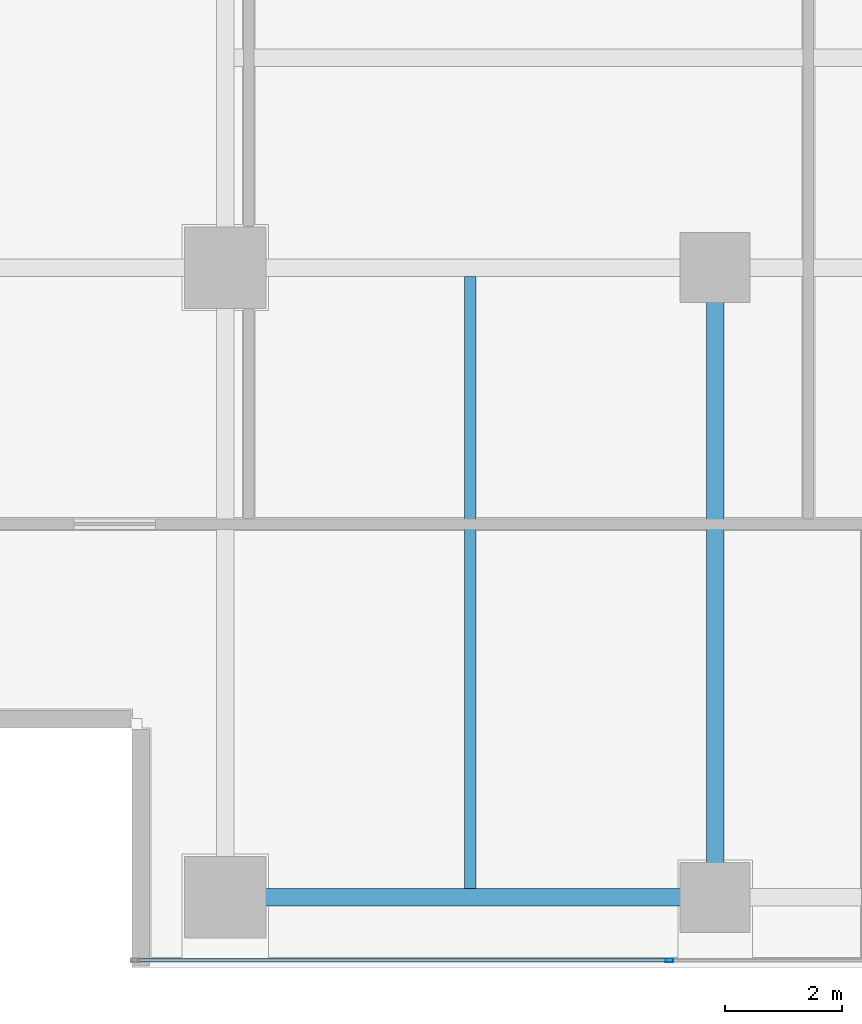
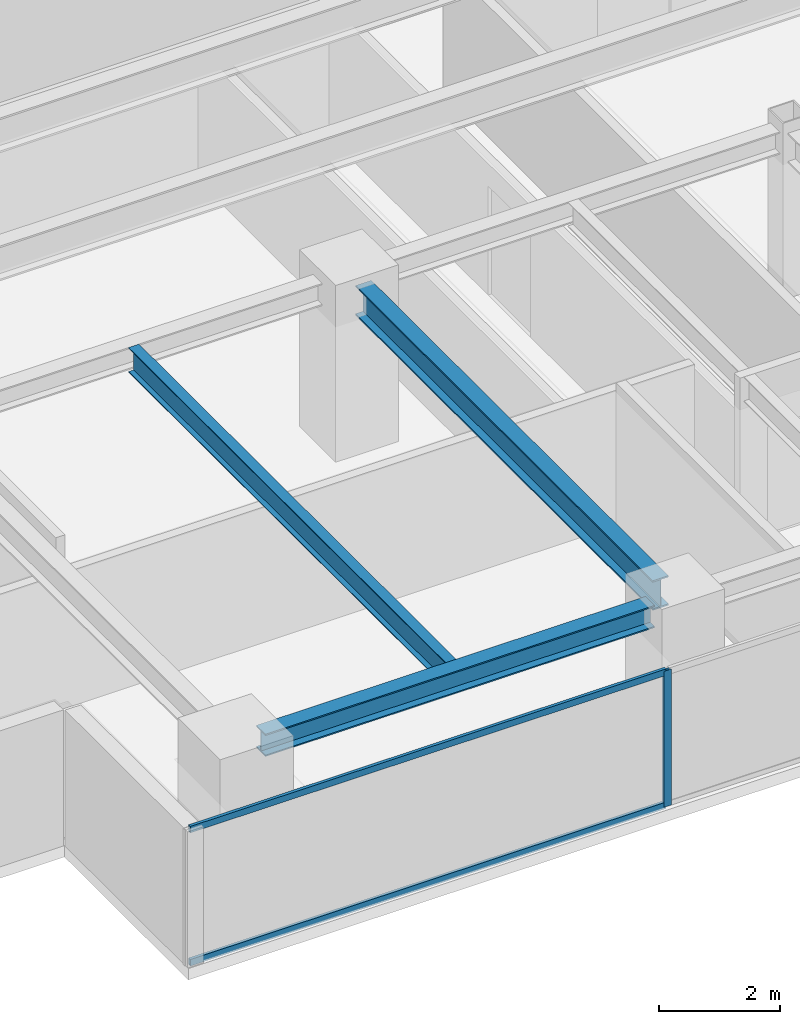
# One storey, part 3 of 25: 3 beams, 3 members, 1 element without a shape of its own.
"""IFC4 building model written with IfcOpenShell, lengths in metres."""

from ifc_helpers import new_model, si_unit, direction, frame, origin, origin_2d, place, context, subcontext, project, spatial, hollow_rectangle, i_section, extrude, source, transform, mapped, material, layer, layer_set, material_profile, profile_set, type_object, element, aggregate, save


model = new_model("IFC4")

# Units and contexts
model_context = context("Model", 3, precision=1e-05, world=origin(), true_north=direction((0.0, 1.0)))
body_context = subcontext(model_context, "Body", "Model", "MODEL_VIEW")
ifc_project = project(units=[si_unit("LENGTHUNIT", "METRE"), si_unit("AREAUNIT", "SQUARE_METRE"), si_unit("VOLUMEUNIT", "CUBIC_METRE"), si_unit("PLANEANGLEUNIT", "RADIAN"), si_unit("MASSUNIT", "GRAM", prefix="KILO")], contexts=[model_context])

# Site, building, storey
site_placement = place(None, origin())
site = spatial("IfcSite", under=ifc_project, at=site_placement, CompositionType="ELEMENT")
building_placement = place(site_placement, origin())
building = spatial("IfcBuilding", under=site, at=building_placement, Name="Sumidabori Civic Tower", CompositionType="ELEMENT")
storey_placement = place(building_placement, frame((0.0, 0.0, 268.39990234375)))
storey = spatial("IfcBuildingStorey", under=building, at=storey_placement, Name="L70", CompositionType="ELEMENT", Elevation=268.39990234375)

# Beams
ifc_material_1 = material(Name="Steel SN490", Category="steel")
ifc_material_profile_1 = material_profile(ifc_material_1, i_section(OverallWidth=0.300048828125, OverallDepth=0.60009765625, WebThickness=0.015380859375, FlangeThickness=0.030029296875, at=origin_2d()), Name="HE 600 B")
ifc_profile_set_1 = profile_set([ifc_material_profile_1], Name="Steel SN490")
beam_type_1 = type_object("IfcBeamType", Name="BM-GIRD-600", PredefinedType="BEAM", material=ifc_profile_set_1)
shared_shape_1 = source(origin(), body_context, "Body", "SweptSolid", [
    extrude(i_section(OverallWidth=0.300048828125, OverallDepth=0.60009765625, WebThickness=0.015380859375, FlangeThickness=0.030029296875, at=origin_2d()), origin(), (0.0, 0.0, 1.0), 9.840087890625),
])
beam_1_placement = place(storey_placement, frame((-8.39990234375, -10.320068359375, 3.070068359375), z_axis=(0.0, 1.0, 0.0), x_axis=(-1.0, 0.0, 0.0)))
element("IfcBeam", 1, at=beam_1_placement, inside=storey, type_object=beam_type_1, Name="Primary Girder L70 GY-12", PredefinedType="BEAM", context=body_context, shape_type="MappedRepresentation", body=[
    mapped(shared_shape_1, transform((0.0, 0.0, 0.0), x_axis=(1.0, 0.0, 0.0), y_axis=(0.0, 1.0, 0.0), z_axis=(0.0, 0.0, 1.0), scale=1.0)),
])
ifc_material_profile_2 = material_profile(ifc_material_1, i_section(OverallWidth=0.300048828125, OverallDepth=0.449951171875, WebThickness=0.013916015625, FlangeThickness=0.02587890625, at=origin_2d()), Name="HE 450 B")
ifc_profile_set_2 = profile_set([ifc_material_profile_2], Name="Steel SN490")
beam_type_2 = type_object("IfcBeamType", Name="BM-GIRD-450", PredefinedType="BEAM", material=ifc_profile_set_2)
shared_shape_2 = source(origin(), body_context, "Body", "SweptSolid", [
    extrude(i_section(OverallWidth=0.300048828125, OverallDepth=0.449951171875, WebThickness=0.013916015625, FlangeThickness=0.02587890625, at=origin_2d()), origin(), (0.0, 0.0, 1.0), 7.440185546875),
])
beam_2_placement = place(storey_placement, frame((-16.320068359375, -10.800048828125, 3.14501953125), z_axis=(1.0, 0.0, 0.0), x_axis=(0.0, 1.0, 0.0)))
element("IfcBeam", 2, at=beam_2_placement, inside=storey, type_object=beam_type_2, Name="Primary Girder L70 GX-01", PredefinedType="BEAM", context=body_context, shape_type="MappedRepresentation", body=[
    mapped(shared_shape_2, transform((0.0, 0.0, 0.0), x_axis=(1.0, 0.0, 0.0), y_axis=(0.0, 1.0, 0.0), z_axis=(0.0, 0.0, 1.0), scale=1.0)),
])
ifc_material_profile_3 = material_profile(ifc_material_1, i_section(OverallWidth=0.199951171875, OverallDepth=0.5, WebThickness=0.01025390625, FlangeThickness=0.01611328125, at=origin_2d()), Name="IPE 500")
ifc_profile_set_3 = profile_set([ifc_material_profile_3], Name="Steel SN490")
beam_type_3 = type_object("IfcBeamType", Name="BM-JST-500", PredefinedType="JOIST", material=ifc_profile_set_3)
shared_shape_3 = source(origin(), body_context, "Body", "SweptSolid", [
    extrude(i_section(OverallWidth=0.199951171875, OverallDepth=0.5, WebThickness=0.01025390625, FlangeThickness=0.01611328125, at=origin_2d()), origin(), (0.0, 0.0, 1.0), 10.5),
])
beam_3_placement = place(storey_placement, frame((-12.60009765625, -10.64990234375, 3.1201171875), z_axis=(0.0, 1.0, 0.0), x_axis=(-1.0, 0.0, 0.0)))
element("IfcBeam", 3, at=beam_3_placement, inside=storey, type_object=beam_type_3, Name="Upper Lens N-S Floor Joist L70 JSTV-24", PredefinedType="JOIST", context=body_context, shape_type="MappedRepresentation", body=[
    mapped(shared_shape_3, transform((0.0, 0.0, 0.0), x_axis=(1.0, 0.0, 0.0), y_axis=(0.0, 1.0, 0.0), z_axis=(0.0, 0.0, 1.0), scale=1.0)),
])

# Curtain wall, members
ifc_material_2 = material(Name="Anodised Bronze Aluminium AW-6063-T6", Category="aluminium")
ifc_layer = layer(ifc_material_2, 0.179931640625, Name="Anodised Bronze Aluminium AW-6063-T6")
ifc_layer_set = layer_set([ifc_layer], Name="Anodised Bronze Aluminium AW-6063-T6")
curtain_wall_type = type_object("IfcCurtainWallType", Name="CW-SYS-5", PredefinedType="NOTDEFINED", material=ifc_layer_set)
curtain_wall_placement = place(storey_placement, origin())
curtain_wall = element("IfcCurtainWall", 4, at=curtain_wall_placement, inside=storey, type_object=curtain_wall_type, Name="Curtain Wall CW:L70:R01", PredefinedType="NOTDEFINED")
ifc_material_profile_4 = material_profile(ifc_material_2, hollow_rectangle(XDim=0.06005859375, YDim=0.1298828125, WallThickness=0.0048828125, at=origin_2d()), Name="ALU TRANSOM 130x60")
ifc_profile_set_4 = profile_set([ifc_material_profile_4], Name="Anodised Bronze Aluminium AW-6063-T6")
member_type_1 = type_object("IfcMemberType", Name="CW-TRN-130", PredefinedType="USERDEFINED", material=ifc_profile_set_4)
shared_shape_4 = source(origin(), body_context, "Body", "SweptSolid", [
    extrude(hollow_rectangle(XDim=0.06005859375, YDim=0.1298828125, WallThickness=0.0048828125, at=origin_2d()), origin(), (0.0, 0.0, 1.0), 9.094970703125),
])
member_1_placement = place(storey_placement, frame((-18.31005859375, -11.8798828125, 0.030029296875), z_axis=(1.0, 0.0, 0.0), x_axis=(0.0, 1.0, 0.0)))
member_1 = element("IfcMember", 5, at=member_1_placement, type_object=member_type_1, Name="CW-5 transom 1.1", ObjectType="TRANSOM", PredefinedType="USERDEFINED", context=body_context, shape_type="MappedRepresentation", body=[
    mapped(shared_shape_4, transform((0.0, 0.0, 0.0), x_axis=(1.0, 0.0, 0.0), y_axis=(0.0, 1.0, 0.0), z_axis=(0.0, 0.0, 1.0), scale=1.0)),
])
member_2_placement = place(storey_placement, frame((-18.31005859375, -11.8798828125, 2.72021484375), z_axis=(1.0, 0.0, 0.0), x_axis=(0.0, 1.0, 0.0)))
member_2 = element("IfcMember", 6, at=member_2_placement, type_object=member_type_1, Name="CW-5 transom 1.2", ObjectType="TRANSOM", PredefinedType="USERDEFINED", context=body_context, shape_type="MappedRepresentation", body=[
    mapped(shared_shape_4, transform((0.0, 0.0, 0.0), x_axis=(1.0, 0.0, 0.0), y_axis=(0.0, 1.0, 0.0), z_axis=(0.0, 0.0, 1.0), scale=1.0)),
])
ifc_material_profile_5 = material_profile(ifc_material_2, hollow_rectangle(XDim=0.06005859375, YDim=0.139892578125, WallThickness=0.0048828125, at=origin_2d()), Name="ALU MULLION 140x60")
ifc_profile_set_5 = profile_set([ifc_material_profile_5], Name="Anodised Bronze Aluminium AW-6063-T6")
member_type_2 = type_object("IfcMemberType", Name="CW-MUL-140", PredefinedType="MULLION", material=ifc_profile_set_5)
shared_shape_5 = source(origin(), body_context, "Body", "SweptSolid", [
    extrude(hollow_rectangle(XDim=0.06005859375, YDim=0.139892578125, WallThickness=0.0048828125, at=origin_2d()), origin(), (0.0, 0.0, 1.0), 2.75),
])
member_3_placement = place(storey_placement, frame((-9.18505859375, -11.8798828125, 0.0), z_axis=(0.0, 0.0, 1.0), x_axis=(0.0, 1.0, 0.0)))
member_3 = element("IfcMember", 7, at=member_3_placement, type_object=member_type_2, Name="CW-5 mullion 2", PredefinedType="MULLION", context=body_context, shape_type="MappedRepresentation", body=[
    mapped(shared_shape_5, transform((0.0, 0.0, 0.0), x_axis=(1.0, 0.0, 0.0), y_axis=(0.0, 1.0, 0.0), z_axis=(0.0, 0.0, 1.0), scale=1.0)),
])
aggregate(curtain_wall, [member_3, member_1, member_2])

save(model, "model.ifc")
